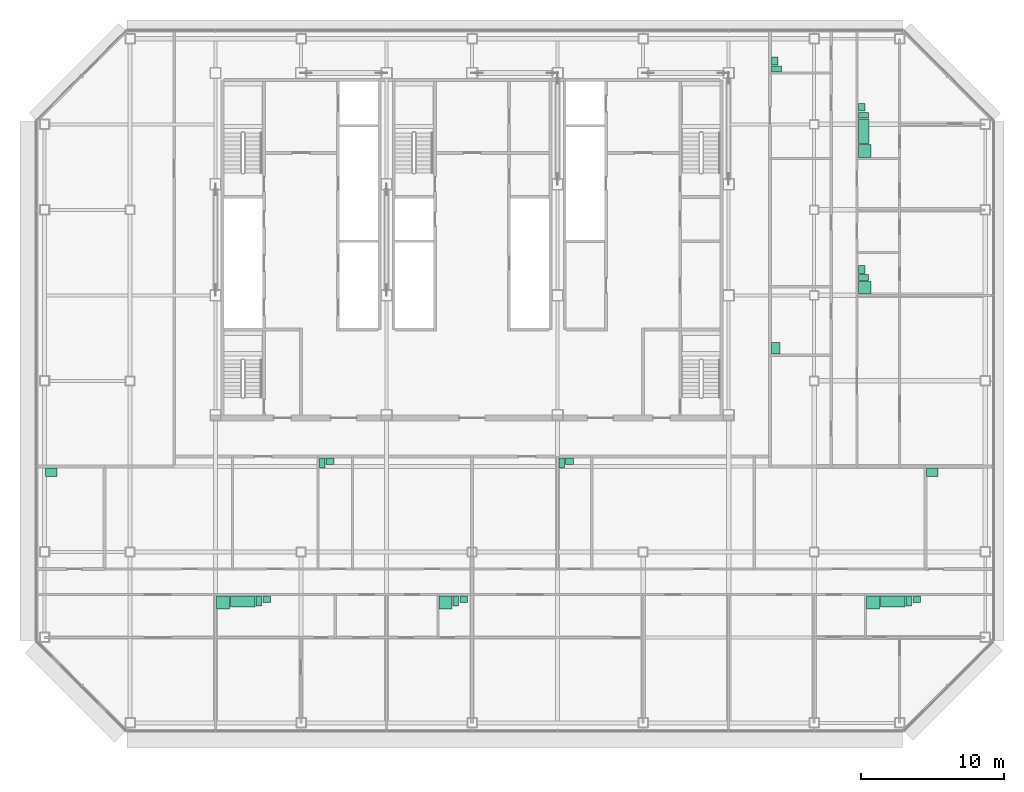
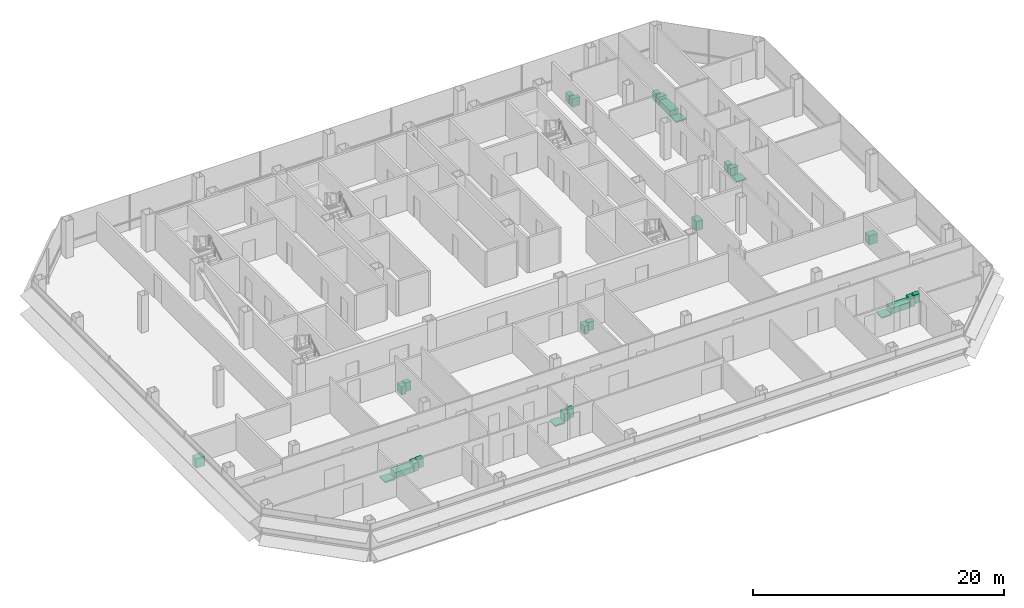
# One storey, part 26 of 26: 27 sanitary terminals.
"""IFC4 building model written with IfcOpenShell, lengths in metres."""

from ifc_helpers import new_model, si_unit, direction, frame, origin, origin_2d, place, context, subcontext, project, spatial, rectangle, extrude, element, save


model = new_model("IFC4")

# Units and contexts
model_context = context("Model", 3, precision=1e-05, world=origin(), true_north=direction((0.0, 1.0)))
body_context = subcontext(model_context, "Body", "Model", "MODEL_VIEW")
ifc_project = project(units=[si_unit("LENGTHUNIT", "METRE"), si_unit("AREAUNIT", "SQUARE_METRE"), si_unit("VOLUMEUNIT", "CUBIC_METRE"), si_unit("PLANEANGLEUNIT", "RADIAN"), si_unit("MASSUNIT", "GRAM", prefix="KILO")], contexts=[model_context])

# Site, building, storey
site_placement = place(None, origin())
site = spatial("IfcSite", under=ifc_project, at=site_placement, CompositionType="ELEMENT")
building_placement = place(site_placement, origin())
building = spatial("IfcBuilding", under=site, at=building_placement, Name="Sorahane Residences", CompositionType="ELEMENT")
storey_placement = place(building_placement, frame((0.0, 0.0, 151.0)))
storey = spatial("IfcBuildingStorey", under=building, at=storey_placement, Name="L34", CompositionType="ELEMENT", Elevation=151.0)

# Sanitary terminals
sanitary_terminal_1_placement = place(storey_placement, frame((6.530029296875, 8.449951171875, 0.0), z_axis=(0.0, 0.0, 1.0), x_axis=(1.0, 0.0, 0.0)))
element("IfcSanitaryTerminal", 1, at=sanitary_terminal_1_placement, inside=storey, Name="Shower tray En-suite bathroom 34A", PredefinedType="SHOWER", context=body_context, shape_type="SweptSolid", body=[
    extrude(rectangle(XDim=0.89990234375, YDim=0.89990234375, at=origin_2d()), origin(), (0.0, 0.0, 1.0), 0.1201171875),
])
sanitary_terminal_2_placement = place(storey_placement, frame((7.909912109375, 8.52490234375, 0.0), z_axis=(0.0, 0.0, 1.0), x_axis=(1.0, 0.0, 0.0)))
element("IfcSanitaryTerminal", 2, at=sanitary_terminal_2_placement, inside=storey, Name="Bath En-suite bathroom 34A", PredefinedType="BATH", context=body_context, shape_type="SweptSolid", body=[
    extrude(rectangle(XDim=1.699951171875, YDim=0.75, at=origin_2d()), origin(), (0.0, 0.0, 1.0), 0.56005859375),
])
sanitary_terminal_3_placement = place(storey_placement, frame((9.0400390625, 8.550048828125, 0.0), z_axis=(0.0, 0.0, 1.0), x_axis=(1.0, 0.0, 0.0)))
element("IfcSanitaryTerminal", 3, at=sanitary_terminal_3_placement, inside=storey, Name="WC pan En-suite bathroom 34A", PredefinedType="TOILETPAN", context=body_context, shape_type="SweptSolid", body=[
    extrude(rectangle(XDim=0.39990234375, YDim=0.699951171875, at=origin_2d()), origin(), (0.0, 0.0, 1.0), 0.800048828125),
])
sanitary_terminal_4_placement = place(storey_placement, frame((9.594970703125, 8.675048828125, 0.0), z_axis=(0.0, 0.0, 1.0), x_axis=(1.0, 0.0, 0.0)))
element("IfcSanitaryTerminal", 4, at=sanitary_terminal_4_placement, inside=storey, Name="Wash basin En-suite bathroom 34A", PredefinedType="WASHHANDBASIN", context=body_context, shape_type="SweptSolid", body=[
    extrude(rectangle(XDim=0.550048828125, YDim=0.449951171875, at=origin_2d()), origin(), (0.0, 0.0, 1.0), 0.85009765625),
])
sanitary_terminal_5_placement = place(storey_placement, frame((22.1298828125, 8.449951171875, 0.0), z_axis=(0.0, 0.0, 1.0), x_axis=(1.0, 0.0, 0.0)))
element("IfcSanitaryTerminal", 5, at=sanitary_terminal_5_placement, inside=storey, Name="Shower tray En-suite bathroom 34A-2", PredefinedType="SHOWER", context=body_context, shape_type="SweptSolid", body=[
    extrude(rectangle(XDim=0.89990234375, YDim=0.89990234375, at=origin_2d()), origin(), (0.0, 0.0, 1.0), 0.1201171875),
])
sanitary_terminal_6_placement = place(storey_placement, frame((22.860107421875, 8.550048828125, 0.0), z_axis=(0.0, 0.0, 1.0), x_axis=(1.0, 0.0, 0.0)))
element("IfcSanitaryTerminal", 6, at=sanitary_terminal_6_placement, inside=storey, Name="WC pan En-suite bathroom 34A-2", PredefinedType="TOILETPAN", context=body_context, shape_type="SweptSolid", body=[
    extrude(rectangle(XDim=0.39990234375, YDim=0.699951171875, at=origin_2d()), origin(), (0.0, 0.0, 1.0), 0.800048828125),
])
sanitary_terminal_7_placement = place(storey_placement, frame((23.4150390625, 8.675048828125, 0.0), z_axis=(0.0, 0.0, 1.0), x_axis=(1.0, 0.0, 0.0)))
element("IfcSanitaryTerminal", 7, at=sanitary_terminal_7_placement, inside=storey, Name="Wash basin En-suite bathroom 34A-2", PredefinedType="WASHHANDBASIN", context=body_context, shape_type="SweptSolid", body=[
    extrude(rectangle(XDim=0.550048828125, YDim=0.449951171875, at=origin_2d()), origin(), (0.0, 0.0, 1.0), 0.85009765625),
])
sanitary_terminal_8_placement = place(storey_placement, frame((-5.52001953125, 17.60009765625, 0.0), z_axis=(0.0, 0.0, 1.0), x_axis=(1.0, 0.0, 0.0)))
element("IfcSanitaryTerminal", 8, at=sanitary_terminal_8_placement, inside=storey, Name="Kitchen sink Kitchen 34A", PredefinedType="SINK", context=body_context, shape_type="SweptSolid", body=[
    extrude(rectangle(XDim=0.800048828125, YDim=0.60009765625, at=origin_2d()), origin(), (0.0, 0.0, 1.0), 0.89990234375),
])
sanitary_terminal_9_placement = place(storey_placement, frame((13.47998046875, 18.25, 0.0), z_axis=(0.0, 0.0, 1.0), x_axis=(1.0, 0.0, 0.0)))
element("IfcSanitaryTerminal", 9, at=sanitary_terminal_9_placement, inside=storey, Name="WC pan Powder room 34A", PredefinedType="TOILETPAN", context=body_context, shape_type="SweptSolid", body=[
    extrude(rectangle(XDim=0.39990234375, YDim=0.699951171875, at=origin_2d()), origin(), (0.0, 0.0, 1.0), 0.800048828125),
])
sanitary_terminal_10_placement = place(storey_placement, frame((14.034912109375, 18.375, 0.0), z_axis=(0.0, 0.0, 1.0), x_axis=(1.0, 0.0, 0.0)))
element("IfcSanitaryTerminal", 10, at=sanitary_terminal_10_placement, inside=storey, Name="Wash basin Powder room 34A", PredefinedType="WASHHANDBASIN", context=body_context, shape_type="SweptSolid", body=[
    extrude(rectangle(XDim=0.550048828125, YDim=0.449951171875, at=origin_2d()), origin(), (0.0, 0.0, 1.0), 0.85009765625),
])
sanitary_terminal_11_placement = place(storey_placement, frame((52.1298828125, 8.449951171875, 0.0), z_axis=(0.0, 0.0, 1.0), x_axis=(1.0, 0.0, 0.0)))
element("IfcSanitaryTerminal", 11, at=sanitary_terminal_11_placement, inside=storey, Name="Shower tray En-suite bathroom 34B", PredefinedType="SHOWER", context=body_context, shape_type="SweptSolid", body=[
    extrude(rectangle(XDim=0.89990234375, YDim=0.89990234375, at=origin_2d()), origin(), (0.0, 0.0, 1.0), 0.1201171875),
])
sanitary_terminal_12_placement = place(storey_placement, frame((53.510009765625, 8.52490234375, 0.0), z_axis=(0.0, 0.0, 1.0), x_axis=(1.0, 0.0, 0.0)))
element("IfcSanitaryTerminal", 12, at=sanitary_terminal_12_placement, inside=storey, Name="Bath En-suite bathroom 34B", PredefinedType="BATH", context=body_context, shape_type="SweptSolid", body=[
    extrude(rectangle(XDim=1.699951171875, YDim=0.75, at=origin_2d()), origin(), (0.0, 0.0, 1.0), 0.56005859375),
])
sanitary_terminal_13_placement = place(storey_placement, frame((54.639892578125, 8.550048828125, 0.0), z_axis=(0.0, 0.0, 1.0), x_axis=(1.0, 0.0, 0.0)))
element("IfcSanitaryTerminal", 13, at=sanitary_terminal_13_placement, inside=storey, Name="WC pan En-suite bathroom 34B", PredefinedType="TOILETPAN", context=body_context, shape_type="SweptSolid", body=[
    extrude(rectangle(XDim=0.39990234375, YDim=0.699951171875, at=origin_2d()), origin(), (0.0, 0.0, 1.0), 0.800048828125),
])
sanitary_terminal_14_placement = place(storey_placement, frame((55.195068359375, 8.675048828125, 0.0), z_axis=(0.0, 0.0, 1.0), x_axis=(1.0, 0.0, 0.0)))
element("IfcSanitaryTerminal", 14, at=sanitary_terminal_14_placement, inside=storey, Name="Wash basin En-suite bathroom 34B", PredefinedType="WASHHANDBASIN", context=body_context, shape_type="SweptSolid", body=[
    extrude(rectangle(XDim=0.550048828125, YDim=0.449951171875, at=origin_2d()), origin(), (0.0, 0.0, 1.0), 0.85009765625),
])
sanitary_terminal_15_placement = place(storey_placement, frame((30.280029296875, 18.25, 0.0), z_axis=(0.0, 0.0, 1.0), x_axis=(1.0, 0.0, 0.0)))
element("IfcSanitaryTerminal", 15, at=sanitary_terminal_15_placement, inside=storey, Name="WC pan Guest WC 34B", PredefinedType="TOILETPAN", context=body_context, shape_type="SweptSolid", body=[
    extrude(rectangle(XDim=0.39990234375, YDim=0.699951171875, at=origin_2d()), origin(), (0.0, 0.0, 1.0), 0.800048828125),
])
sanitary_terminal_16_placement = place(storey_placement, frame((30.8349609375, 18.375, 0.0), z_axis=(0.0, 0.0, 1.0), x_axis=(1.0, 0.0, 0.0)))
element("IfcSanitaryTerminal", 16, at=sanitary_terminal_16_placement, inside=storey, Name="Wash basin Guest WC 34B", PredefinedType="WASHHANDBASIN", context=body_context, shape_type="SweptSolid", body=[
    extrude(rectangle(XDim=0.550048828125, YDim=0.449951171875, at=origin_2d()), origin(), (0.0, 0.0, 1.0), 0.85009765625),
])
sanitary_terminal_17_placement = place(storey_placement, frame((56.280029296875, 17.60009765625, 0.0), z_axis=(0.0, 0.0, 1.0), x_axis=(1.0, 0.0, 0.0)))
element("IfcSanitaryTerminal", 17, at=sanitary_terminal_17_placement, inside=storey, Name="Kitchen sink Kitchen 34B", PredefinedType="SINK", context=body_context, shape_type="SweptSolid", body=[
    extrude(rectangle(XDim=0.800048828125, YDim=0.60009765625, at=origin_2d()), origin(), (0.0, 0.0, 1.0), 0.89990234375),
])
sanitary_terminal_18_placement = place(storey_placement, frame((51.550048828125, 30.530029296875, 0.0), z_axis=(0.0, 0.0, 1.0), x_axis=(0.0, 1.0, 0.0)))
element("IfcSanitaryTerminal", 18, at=sanitary_terminal_18_placement, inside=storey, Name="Shower tray En-suite bathroom 34C", PredefinedType="SHOWER", context=body_context, shape_type="SweptSolid", body=[
    extrude(rectangle(XDim=0.89990234375, YDim=0.89990234375, at=origin_2d()), origin(), (0.0, 0.0, 1.0), 0.1201171875),
])
sanitary_terminal_19_placement = place(storey_placement, frame((51.449951171875, 31.260009765625, 0.0), z_axis=(0.0, 0.0, 1.0), x_axis=(0.0, 1.0, 0.0)))
element("IfcSanitaryTerminal", 19, at=sanitary_terminal_19_placement, inside=storey, Name="WC pan En-suite bathroom 34C", PredefinedType="TOILETPAN", context=body_context, shape_type="SweptSolid", body=[
    extrude(rectangle(XDim=0.39990234375, YDim=0.699951171875, at=origin_2d()), origin(), (0.0, 0.0, 1.0), 0.800048828125),
])
sanitary_terminal_20_placement = place(storey_placement, frame((51.324951171875, 31.81494140625, 0.0), z_axis=(0.0, 0.0, 1.0), x_axis=(0.0, 1.0, 0.0)))
element("IfcSanitaryTerminal", 20, at=sanitary_terminal_20_placement, inside=storey, Name="Wash basin En-suite bathroom 34C", PredefinedType="WASHHANDBASIN", context=body_context, shape_type="SweptSolid", body=[
    extrude(rectangle(XDim=0.550048828125, YDim=0.449951171875, at=origin_2d()), origin(), (0.0, 0.0, 1.0), 0.85009765625),
])
sanitary_terminal_21_placement = place(storey_placement, frame((51.550048828125, 40.1298828125, 0.0), z_axis=(0.0, 0.0, 1.0), x_axis=(0.0, 1.0, 0.0)))
element("IfcSanitaryTerminal", 21, at=sanitary_terminal_21_placement, inside=storey, Name="Shower tray En-suite bathroom 34C-2", PredefinedType="SHOWER", context=body_context, shape_type="SweptSolid", body=[
    extrude(rectangle(XDim=0.89990234375, YDim=0.89990234375, at=origin_2d()), origin(), (0.0, 0.0, 1.0), 0.1201171875),
])
sanitary_terminal_22_placement = place(storey_placement, frame((51.47509765625, 41.510009765625, 0.0), z_axis=(0.0, 0.0, 1.0), x_axis=(0.0, 1.0, 0.0)))
element("IfcSanitaryTerminal", 22, at=sanitary_terminal_22_placement, inside=storey, Name="Bath En-suite bathroom 34C-2", PredefinedType="BATH", context=body_context, shape_type="SweptSolid", body=[
    extrude(rectangle(XDim=1.699951171875, YDim=0.75, at=origin_2d()), origin(), (0.0, 0.0, 1.0), 0.56005859375),
])
sanitary_terminal_23_placement = place(storey_placement, frame((51.449951171875, 42.639892578125, 0.0), z_axis=(0.0, 0.0, 1.0), x_axis=(0.0, 1.0, 0.0)))
element("IfcSanitaryTerminal", 23, at=sanitary_terminal_23_placement, inside=storey, Name="WC pan En-suite bathroom 34C-2", PredefinedType="TOILETPAN", context=body_context, shape_type="SweptSolid", body=[
    extrude(rectangle(XDim=0.39990234375, YDim=0.699951171875, at=origin_2d()), origin(), (0.0, 0.0, 1.0), 0.800048828125),
])
sanitary_terminal_24_placement = place(storey_placement, frame((51.324951171875, 43.195068359375, 0.0), z_axis=(0.0, 0.0, 1.0), x_axis=(0.0, 1.0, 0.0)))
element("IfcSanitaryTerminal", 24, at=sanitary_terminal_24_placement, inside=storey, Name="Wash basin En-suite bathroom 34C-2", PredefinedType="WASHHANDBASIN", context=body_context, shape_type="SweptSolid", body=[
    extrude(rectangle(XDim=0.550048828125, YDim=0.449951171875, at=origin_2d()), origin(), (0.0, 0.0, 1.0), 0.85009765625),
])
sanitary_terminal_25_placement = place(storey_placement, frame((45.300048828125, 26.280029296875, 0.0), z_axis=(0.0, 0.0, 1.0), x_axis=(0.0, 1.0, 0.0)))
element("IfcSanitaryTerminal", 25, at=sanitary_terminal_25_placement, inside=storey, Name="Kitchen sink Kitchen 34C", PredefinedType="SINK", context=body_context, shape_type="SweptSolid", body=[
    extrude(rectangle(XDim=0.800048828125, YDim=0.60009765625, at=origin_2d()), origin(), (0.0, 0.0, 1.0), 0.89990234375),
])
sanitary_terminal_26_placement = place(storey_placement, frame((45.35009765625, 45.8798828125, 0.0), z_axis=(0.0, 0.0, 1.0), x_axis=(0.0, 1.0, 0.0)))
element("IfcSanitaryTerminal", 26, at=sanitary_terminal_26_placement, inside=storey, Name="WC pan Powder room 34C", PredefinedType="TOILETPAN", context=body_context, shape_type="SweptSolid", body=[
    extrude(rectangle(XDim=0.39990234375, YDim=0.699951171875, at=origin_2d()), origin(), (0.0, 0.0, 1.0), 0.800048828125),
])
sanitary_terminal_27_placement = place(storey_placement, frame((45.22509765625, 46.43505859375, 0.0), z_axis=(0.0, 0.0, 1.0), x_axis=(0.0, 1.0, 0.0)))
element("IfcSanitaryTerminal", 27, at=sanitary_terminal_27_placement, inside=storey, Name="Wash basin Powder room 34C", PredefinedType="WASHHANDBASIN", context=body_context, shape_type="SweptSolid", body=[
    extrude(rectangle(XDim=0.550048828125, YDim=0.449951171875, at=origin_2d()), origin(), (0.0, 0.0, 1.0), 0.85009765625),
])

save(model, "model.ifc")
